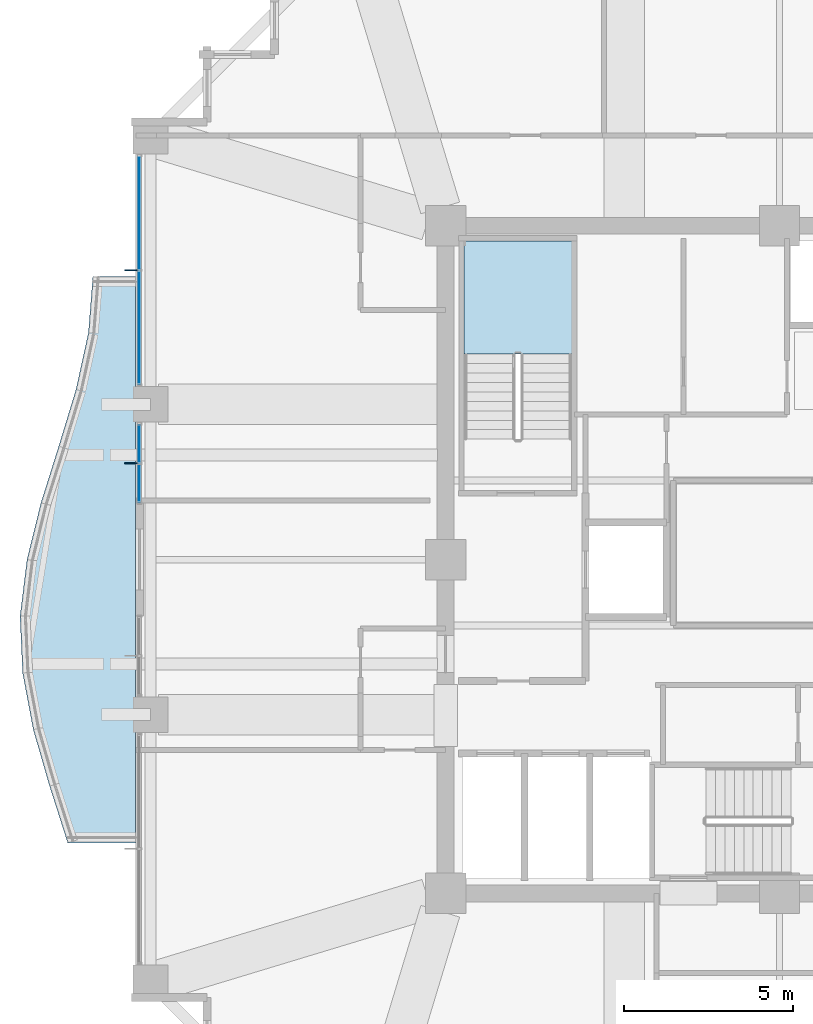
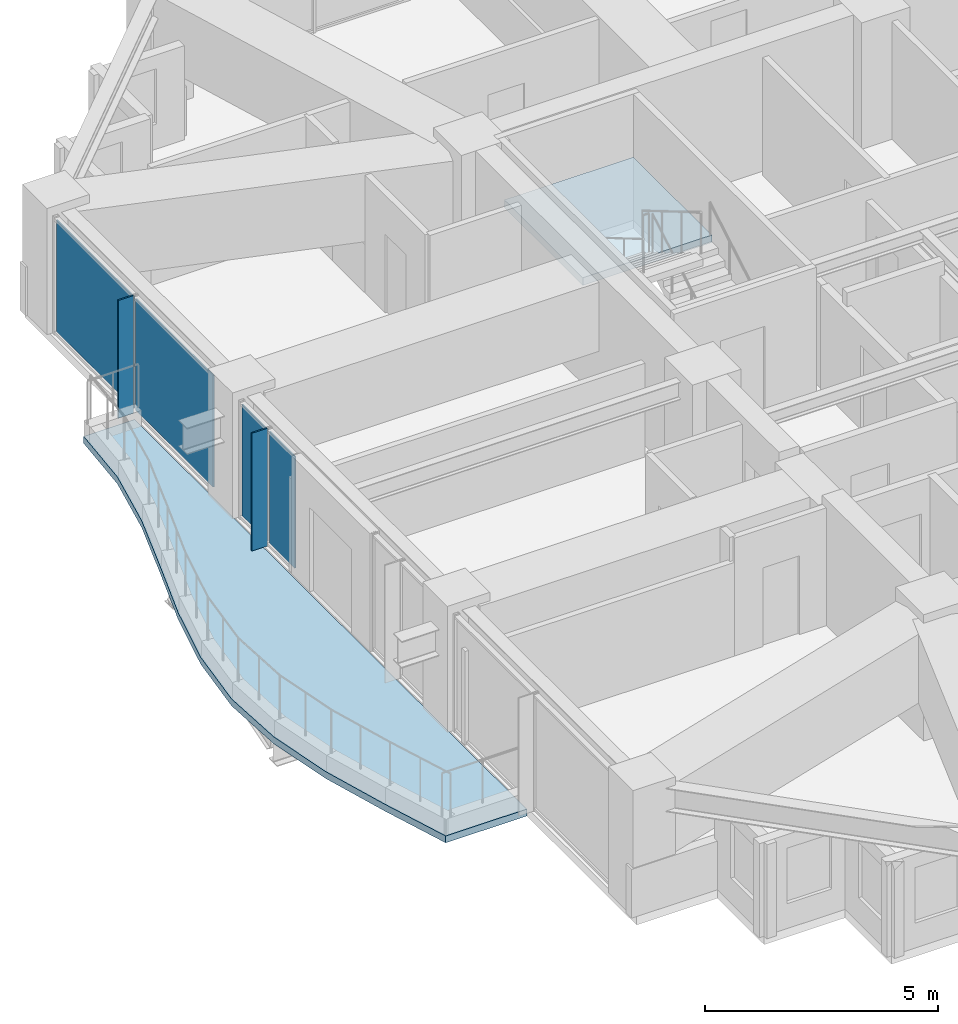
# One storey, part 26 of 36: 6 plates, 2 slabs, 3 elements without a shape of their own.
"""IFC4 building model written with IfcOpenShell, lengths in metres."""

from ifc_helpers import new_model, si_unit, direction, frame, origin, origin_2d, place, context, subcontext, project, spatial, polyline, rectangle, outline, extrude, material, layer, layer_set, type_object, element, aggregate, save


model = new_model("IFC4")

# Units and contexts
model_context = context("Model", 3, precision=1e-05, world=origin(), true_north=direction((0.0, 1.0)))
body_context = subcontext(model_context, "Body", "Model", "MODEL_VIEW")
ifc_project = project(units=[si_unit("LENGTHUNIT", "METRE"), si_unit("AREAUNIT", "SQUARE_METRE"), si_unit("VOLUMEUNIT", "CUBIC_METRE"), si_unit("PLANEANGLEUNIT", "RADIAN"), si_unit("MASSUNIT", "GRAM", prefix="KILO")], contexts=[model_context])

# Site, building, storey
site_placement = place(None, origin())
site = spatial("IfcSite", under=ifc_project, at=site_placement, CompositionType="ELEMENT")
building_placement = place(site_placement, origin())
building = spatial("IfcBuilding", under=site, at=building_placement, Name="Kolvaren Belvedere", CompositionType="ELEMENT")
storey_placement = place(building_placement, frame((0.0, 0.0, 108.5)))
storey = spatial("IfcBuildingStorey", under=building, at=storey_placement, Name="L31", CompositionType="ELEMENT", Elevation=108.5)

# Curtain wall, plates
ifc_material_1 = material(Name="Anodised pale-metal aluminium AA 6063-T6", Category="aluminium")
curtain_wall_type = type_object("IfcCurtainWallType", Name="CW-Z3-WAIST", PredefinedType="NOTDEFINED", material=ifc_material_1)
curtain_wall_1_placement = place(storey_placement, origin())
curtain_wall_1 = element("IfcCurtainWall", 1, at=curtain_wall_1_placement, inside=storey, type_object=curtain_wall_type, Name="L31 Unitised Curtain Wall FCW-L31-W2-B1", PredefinedType="NOTDEFINED")
ifc_material_2 = material(Name="Low-iron triple insulated glass", Category="glass")
ifc_layer_1 = layer(ifc_material_2, 0.028076171875)
ifc_layer_set_1 = layer_set([ifc_layer_1], Name="Low-iron triple insulated glass")
plate_type_1 = type_object("IfcPlateType", Name="CW-PNL-VIS28", PredefinedType="CURTAIN_PANEL", material=ifc_layer_set_1)
plate_1_placement = place(storey_placement, frame((-18.97998046875, 2.265625, 0.080078125), z_axis=(0.0, 0.0, 1.0), x_axis=(0.0, 1.0, 0.0)))
plate_1 = element("IfcPlate", 2, at=plate_1_placement, type_object=plate_type_1, Name="FCW-L31-W2-B1 Vision Glazing Panel 1", PredefinedType="CURTAIN_PANEL", context=body_context, shape_type="SweptSolid", body=[
    extrude(rectangle(XDim=1.09130859375, YDim=0.028076171875, at=origin_2d()), origin(), (0.0, 0.0, 1.0), 2.919921875),
])
plate_2_placement = place(storey_placement, frame((-18.97998046875, 3.43701171875, 0.080078125), z_axis=(0.0, 0.0, 1.0), x_axis=(0.0, 1.0, 0.0)))
plate_2 = element("IfcPlate", 3, at=plate_2_placement, type_object=plate_type_1, Name="FCW-L31-W2-B1 Vision Glazing Panel 2", PredefinedType="CURTAIN_PANEL", context=body_context, shape_type="SweptSolid", body=[
    extrude(rectangle(XDim=1.09130859375, YDim=0.028076171875, at=origin_2d()), origin(), (0.0, 0.0, 1.0), 2.919921875),
])
aggregate(curtain_wall_1, [plate_1, plate_2])

curtain_wall_2_placement = place(storey_placement, origin())
curtain_wall_2 = element("IfcCurtainWall", 4, at=curtain_wall_2_placement, inside=storey, type_object=curtain_wall_type, Name="L31 Unitised Curtain Wall FCW-L31-W2-B2", PredefinedType="NOTDEFINED")
plate_3_placement = place(storey_placement, frame((-18.97998046875, 6.876220703125, 0.080078125), z_axis=(0.0, 0.0, 1.0), x_axis=(0.0, 1.0, 0.0)))
plate_3 = element("IfcPlate", 5, at=plate_3_placement, type_object=plate_type_1, Name="FCW-L31-W2-B2 Vision Glazing Panel 1", PredefinedType="CURTAIN_PANEL", context=body_context, shape_type="SweptSolid", body=[
    extrude(rectangle(XDim=3.3173828125, YDim=0.028076171875, at=origin_2d()), origin(), (0.0, 0.0, 1.0), 2.919921875),
])
plate_4_placement = place(storey_placement, frame((-18.97998046875, 10.273681640625, 0.080078125), z_axis=(0.0, 0.0, 1.0), x_axis=(0.0, 1.0, 0.0)))
plate_4 = element("IfcPlate", 6, at=plate_4_placement, type_object=plate_type_1, Name="FCW-L31-W2-B2 Vision Glazing Panel 2", PredefinedType="CURTAIN_PANEL", context=body_context, shape_type="SweptSolid", body=[
    extrude(rectangle(XDim=3.3173828125, YDim=0.028076171875, at=origin_2d()), origin(), (0.0, 0.0, 1.0), 2.919921875),
])
aggregate(curtain_wall_2, [plate_3, plate_4])

# Plates
ifc_material_3 = material(Name="Anodised pale-metal aluminium AA 6063-T6", Category="aluminium")
ifc_layer_2 = layer(ifc_material_3, 0.033935546875)
ifc_layer_set_2 = layer_set([ifc_layer_2], Name="Anodised pale-metal aluminium AA 6063-T6")
plate_type_2 = type_object("IfcPlateType", Name="FIN-VERT-380", PredefinedType="USERDEFINED", material=ifc_layer_set_2)
for number, where, z_axis, x_axis, name in (
    (7, (-19.219970703125, 2.851318359375, 0.0), (0.0, 0.0, 1.0), (1.0, 0.0, 0.0), "L31 Pale-Metal Vertical Shading Fin FCW-L31-W2-B1-1"),
    (8, (-19.219970703125, 8.574951171875, 0.0), (0.0, 0.0, 1.0), (1.0, 0.0, 0.0), "L31 Pale-Metal Vertical Shading Fin FCW-L31-W2-B2-1"),
):
    element("IfcPlate", number, at=place(storey_placement, frame(where, z_axis=z_axis, x_axis=x_axis)), inside=storey, type_object=plate_type_2, Name=name, ObjectType="VERTICAL FIN", PredefinedType="USERDEFINED", context=body_context, shape_type="SweptSolid", body=[
        extrude(rectangle(XDim=0.3798828125, YDim=0.033935546875, at=origin_2d()), origin(), (0.0, 0.0, 1.0), 3.080078125),
    ])

# Slab
ifc_material_4 = material(Name="Concrete C50/60", Category="concrete")
ifc_layer_3 = layer(ifc_material_4, 0.179931640625)
ifc_layer_set_3 = layer_set([ifc_layer_3], Name="Concrete C50/60")
slab_type_1 = type_object("IfcSlabType", Name="SL-BAL-180", PredefinedType="FLOOR", material=ifc_layer_set_3)
slab_1_placement = place(storey_placement, frame((0.0, 0.0, -0.219970703125)))
element("IfcSlab", 9, at=slab_1_placement, inside=storey, type_object=slab_type_1, Name="L31 Planted Balcony BAL-W", PredefinedType="FLOOR", context=body_context, shape_type="SweptSolid", body=[
    extrude(outline(polyline([(-20.360107421875, 8.39990234375), (-20.49365234375, 6.719970703125), (-20.861328125, 5.0400390625), (-21.372314453125, 3.360107421875), (-21.89990234375, 1.679931640625), (-22.313720703125, 0.0), (-22.52001953125, -1.679931640625), (-22.444091796875, -3.360107421875), (-22.12841796875, -5.0400390625), (-21.642333984375, -6.719970703125), (-21.106201171875, -8.39990234375), (-19.10009765625, -8.39990234375), (-19.10009765625, -6.719970703125), (-19.10009765625, -5.0400390625), (-19.10009765625, -3.360107421875), (-19.10009765625, -1.679931640625), (-19.10009765625, 0.0), (-19.10009765625, 1.679931640625), (-19.10009765625, 3.360107421875), (-19.10009765625, 5.0400390625), (-19.10009765625, 6.719970703125), (-19.10009765625, 8.39990234375), (-20.360107421875, 8.39990234375)])), origin(), (0.0, 0.0, 1.0), 0.179931640625),
])

# Stair, slab
ifc_material_5 = material(Name="Concrete C50/60", Category="concrete")
stair_type = type_object("IfcStairType", Name="ST-CORE-1520", PredefinedType="HALF_TURN_STAIR", material=ifc_material_5)
stair_placement = place(storey_placement, origin())
stair = element("IfcStair", 10, at=stair_placement, inside=storey, type_object=stair_type, Name="L31 Protected Exit Stair ST-1", PredefinedType="HALF_TURN_STAIR")
ifc_material_6 = material(Name="Concrete C50/60", Category="concrete")
ifc_layer_4 = layer(ifc_material_6, 0.260009765625)
ifc_layer_set_4 = layer_set([ifc_layer_4], Name="Concrete C50/60")
slab_type_2 = type_object("IfcSlabType", Name="SL-LAND-260", PredefinedType="LANDING", material=ifc_layer_set_4)
slab_2_placement = place(storey_placement, frame((0.0, 0.0, 1.449951171875)))
slab_2 = element("IfcSlab", 11, at=slab_2_placement, type_object=slab_type_2, Name="ST-1 landing 1", PredefinedType="LANDING", context=body_context, shape_type="SweptSolid", body=[
    extrude(outline(polyline([(-6.159912109375, 6.090087890625), (-6.159912109375, 9.449951171875), (-9.35009765625, 9.449951171875), (-9.35009765625, 6.090087890625), (-6.159912109375, 6.090087890625)])), origin(), (0.0, 0.0, 1.0), 0.199951171875),
])
aggregate(stair, [slab_2])

save(model, "model.ifc")
